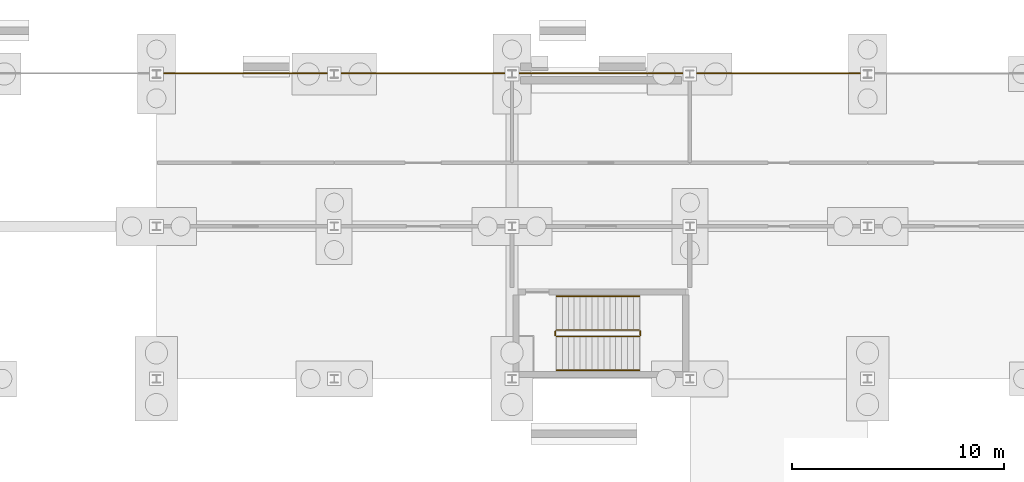
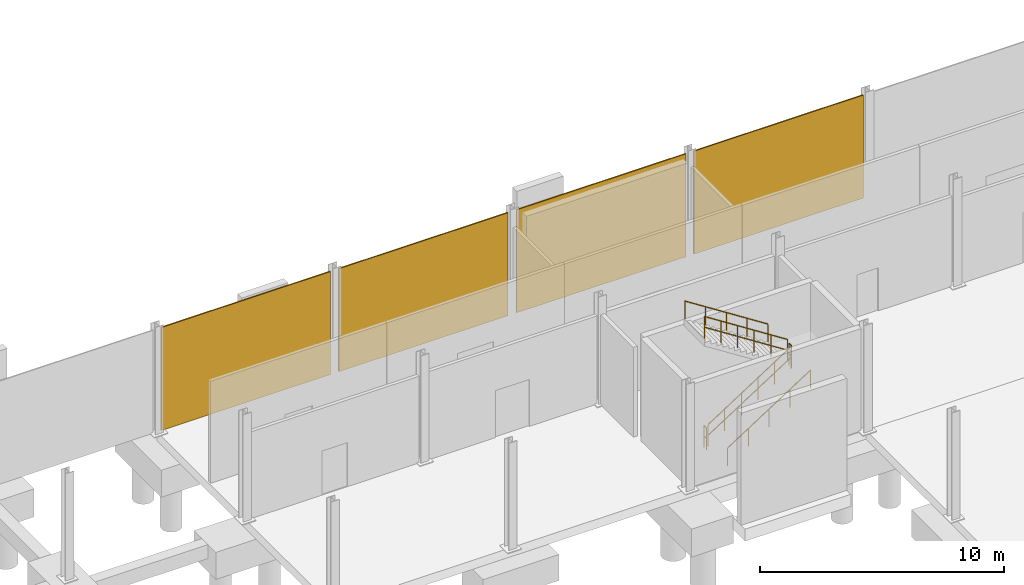
# One storey, part 56 of 61: 6 railings, 4 coverings.
"""IFC4 building model written with IfcOpenShell, lengths in metres."""

import ifcopenshell
import ifcopenshell.guid

model = None  # the IFC model being written
_history = None  # IfcOwnerHistory: only IFC2X3 demands one
_inside = {}  # id of a spatial element -> (the spatial element, [elements in it])
_under = {}  # id of a project, library or spatial element -> (it, [spatial elements below it])
_declared = {}  # id of a project -> (the project, [libraries it declares])
_typed = {}  # id of a type object -> (the type object, [elements of that type])
_made_of = {}  # id of a material, layer set ... -> (it, [elements and type objects made of it])


def new_model(schema):
    """Start an empty IFC model of exactly this schema.

    Asked for "IFC4X3", IfcOpenShell would pick the latest addendum, in which some entities
    have other attributes; the version numbers below select the first issue.
    IFC2X3 requires an IfcOwnerHistory on every rooted entity: one is made here for all.
    """
    global model, _history
    if schema == "IFC4X3":
        model = ifcopenshell.file(schema_version=(4, 3, 0, 0))
    else:
        model = ifcopenshell.file(schema=schema)
    _inside.clear()
    _under.clear()
    _declared.clear()
    _typed.clear()
    _made_of.clear()
    _history = None
    if model.schema == "IFC2X3":
        org = make("IfcOrganization", Name="unknown")
        user = make(
            "IfcPersonAndOrganization",
            ThePerson=make("IfcPerson", FamilyName="unknown"),
            TheOrganization=org,
        )
        app = make(
            "IfcApplication",
            ApplicationDeveloper=org,
            Version="unknown",
            ApplicationFullName="unknown",
            ApplicationIdentifier="unknown",
        )
        _history = make(
            "IfcOwnerHistory",
            OwningUser=user,
            OwningApplication=app,
            ChangeAction="ADDED",
            CreationDate=0,
        )
    return model


def make(cls, **values):
    """One entity of the class cls with the attributes given. An attribute that is None is left unset."""
    return model.create_entity(
        cls, **{name: value for name, value in values.items() if value is not None}
    )


def rooted(cls, **values):
    """An entity with a GlobalId (a new one), such as an element, a storey or a relation."""
    return make(cls, GlobalId=ifcopenshell.guid.new(), OwnerHistory=_history, **values)


def si_unit(unit_type, name, prefix=None):
    """IfcSIUnit, for example si_unit("LENGTHUNIT", "METRE", prefix="MILLI")."""
    return make("IfcSIUnit", UnitType=unit_type, Prefix=prefix, Name=name)


def assignment(units):
    """IfcUnitAssignment: the units of a project."""
    return None if units is None else make("IfcUnitAssignment", Units=units)


def point(xyz):
    """IfcCartesianPoint."""
    return None if xyz is None else make("IfcCartesianPoint", Coordinates=xyz)


def direction(xyz):
    """IfcDirection."""
    return None if xyz is None else make("IfcDirection", DirectionRatios=xyz)


def frame(location, z_axis=None, x_axis=None):
    """IfcAxis2Placement3D, a coordinate frame: its origin and axes. An axis left out is left unset."""
    return make(
        "IfcAxis2Placement3D",
        Location=point(location),
        Axis=direction(z_axis),
        RefDirection=direction(x_axis),
    )


def frame_2d(location, x_axis=None):
    """IfcAxis2Placement2D, a coordinate frame in the plane: its origin and x axis."""
    return make(
        "IfcAxis2Placement2D", Location=point(location), RefDirection=direction(x_axis)
    )


def origin():
    """The frame at (0, 0, 0) with its axes left unset."""
    return frame((0.0, 0.0, 0.0))


def origin_2d():
    """The frame at (0, 0) in the plane with its x axis left unset."""
    return frame_2d((0.0, 0.0))


def place(relative_to, where):
    """IfcLocalPlacement: puts the frame where relative to a parent placement (None: the world)."""
    return make(
        "IfcLocalPlacement", PlacementRelTo=relative_to, RelativePlacement=where
    )


def context(
    kind, dimensions, precision=None, world=None, true_north=None, identifier=None
):
    """IfcGeometricRepresentationContext, for example the 3D "Model" context."""
    return make(
        "IfcGeometricRepresentationContext",
        ContextIdentifier=identifier,
        ContextType=kind,
        CoordinateSpaceDimension=dimensions,
        Precision=precision,
        WorldCoordinateSystem=world,
        TrueNorth=true_north,
    )


def subcontext(parent, identifier, kind, view, scale=None):
    """IfcGeometricRepresentationSubContext, for example "Body" below "Model"."""
    return make(
        "IfcGeometricRepresentationSubContext",
        ContextIdentifier=identifier,
        ContextType=kind,
        ParentContext=parent,
        TargetScale=scale,
        TargetView=view,
    )


def project(units=None, contexts=None):
    """IfcProject with its units and contexts."""
    return rooted(
        "IfcProject",
        Name="project",
        RepresentationContexts=contexts,
        UnitsInContext=assignment(units),
    )


def spatial(cls, under=None, at=None, **own):
    """A site, building, storey or space (cls), placed at a placement, below another one or the project."""
    s = rooted(cls, ObjectPlacement=at, **own)
    if under is not None:
        _under.setdefault(under.id(), (under, []))[1].append(s)
    return s


def polyline(points):
    """IfcPolyline through the points."""
    return make("IfcPolyline", Points=[point(p) for p in points])


def profile(cls, at=None, kind="AREA", **sizes):
    """A parametric profile (cls). Its sizes go by their IFC names, for example OverallWidth=200.0."""
    return make(cls, ProfileType=kind, Position=at, **sizes)


def circle(**sizes):
    """IfcCircleProfileDef."""
    return profile("IfcCircleProfileDef", **sizes)


def outline(outer, holes=None, kind="AREA"):
    """IfcArbitraryClosedProfileDef: a profile drawn as a closed curve; with holes, ...WithVoids."""
    if holes is None:
        return make("IfcArbitraryClosedProfileDef", ProfileType=kind, OuterCurve=outer)
    return make(
        "IfcArbitraryProfileDefWithVoids",
        ProfileType=kind,
        OuterCurve=outer,
        InnerCurves=holes,
    )


def extrude(swept, where, along, depth):
    """IfcExtrudedAreaSolid: the profile swept, set in the frame where, extruded along a direction by depth."""
    return make(
        "IfcExtrudedAreaSolid",
        SweptArea=swept,
        Position=where,
        ExtrudedDirection=direction(along),
        Depth=depth,
    )


def shape(context_of_items, identifier, shape_type, items):
    """IfcShapeRepresentation: the items that make up one representation, for example the "Body"."""
    return make(
        "IfcShapeRepresentation",
        ContextOfItems=context_of_items,
        RepresentationIdentifier=identifier,
        RepresentationType=shape_type,
        Items=items,
    )


def material(Name=None, Category=None):
    """IfcMaterial."""
    return make("IfcMaterial", Name=Name, Category=Category)


def layer(
    of_material, thickness, ventilated=None, Name=None, Category=None, Priority=None
):
    """IfcMaterialLayer: one layer of a wall or slab, of a material (None: an air gap)."""
    return make(
        "IfcMaterialLayer",
        Material=of_material,
        LayerThickness=thickness,
        IsVentilated=ventilated,
        Name=Name,
        Category=Category,
        Priority=Priority,
    )


def layer_set(layers, Name=None):
    """IfcMaterialLayerSet."""
    return make("IfcMaterialLayerSet", MaterialLayers=layers, LayerSetName=Name)


def made_of(thing, what):
    """Note that an element or type object is made of a material, layer set ...; save() writes the relation."""
    if what is not None:
        _made_of.setdefault(what.id(), (what, []))[1].append(thing)
    return thing


def type_object(cls, material=None, **own):
    """A type object (cls), such as IfcWallType, which elements share."""
    return made_of(rooted(cls, **own), material)


def element(
    cls,
    number,
    at=None,
    inside=None,
    cuts=None,
    type_object=None,
    material=None,
    context=None,
    identifier="Body",
    shape_type=None,
    held_by="IfcProductDefinitionShape",
    body=None,
    shapes=None,
    **own,
):
    """One element of the class cls, such as IfcWall. Its Tag is "e" and its number.

    at: its placement. inside: the storey or other place that contains it. cuts: it is an
    opening in that element (IfcRelVoidsElement). A single representation is given by context,
    identifier, shape_type and body (its items); several are given by shapes. held_by: the class
    of the entity that holds the representations. save() writes the other relations.
    """
    e = rooted(cls, Tag="e%d" % number, ObjectPlacement=at, **own)
    if body is not None:
        shapes = [shape(context, identifier, shape_type, body)]
    if shapes is not None:
        e.Representation = make(held_by, Representations=shapes)
    if inside is not None:
        _inside.setdefault(inside.id(), (inside, []))[1].append(e)
    if cuts is not None:
        rooted(
            "IfcRelVoidsElement", RelatingBuildingElement=cuts, RelatedOpeningElement=e
        )
    if type_object is not None:
        _typed.setdefault(type_object.id(), (type_object, []))[1].append(e)
    return made_of(e, material)


def aggregate(whole, parts):
    """IfcRelAggregates: a whole, such as a stair, and the parts it consists of."""
    return rooted("IfcRelAggregates", RelatingObject=whole, RelatedObjects=parts)


def save(model, path):
    """Write the relations noted so far, then the file.

    IfcRelAggregates (storeys below a building ...), IfcRelContainedInSpatialStructure (elements
    in a storey), IfcRelDefinesByType, IfcRelAssociatesMaterial and IfcRelDeclares: one each for
    every whole, place, type object, material and project.
    """
    for whole, parts in _under.values():
        aggregate(whole, parts)
    for where, things in _inside.values():
        rooted(
            "IfcRelContainedInSpatialStructure",
            RelatedElements=things,
            RelatingStructure=where,
        )
    for kind, things in _typed.values():
        rooted("IfcRelDefinesByType", RelatedObjects=things, RelatingType=kind)
    for what, things in _made_of.values():
        rooted("IfcRelAssociatesMaterial", RelatedObjects=things, RelatingMaterial=what)
    for by, libraries in _declared.values():
        rooted("IfcRelDeclares", RelatingContext=by, RelatedDefinitions=libraries)
    model.write(path)


model = new_model("IFC4")

# Units and contexts
model_context = context("Model", 3, precision=1e-05, world=origin(), true_north=direction((0.0, 1.0)))
body_context = subcontext(model_context, "Body", "Model", "MODEL_VIEW")
ifc_project = project(units=[si_unit("LENGTHUNIT", "METRE"), si_unit("AREAUNIT", "SQUARE_METRE"), si_unit("VOLUMEUNIT", "CUBIC_METRE"), si_unit("PLANEANGLEUNIT", "RADIAN"), si_unit("MASSUNIT", "GRAM", prefix="KILO")], contexts=[model_context])

# Site, building, storey
site_placement = place(None, origin())
site = spatial("IfcSite", under=ifc_project, at=site_placement, CompositionType="ELEMENT")
building_placement = place(site_placement, origin())
building = spatial("IfcBuilding", under=site, at=building_placement, Name="Calvrana Isthmian Art Gallery", CompositionType="ELEMENT")
storey_placement = place(building_placement, frame((0.0, 0.0, -5.39990234375)))
storey = spatial("IfcBuildingStorey", under=building, at=storey_placement, Name="B1", CompositionType="ELEMENT", Elevation=-5.39990234375)

# Coverings
ifc_material_1 = material(Name="Pale Isthmian limestone", Category="masonry")
ifc_layer = layer(ifc_material_1, 0.06005859375, Name="Pale Isthmian limestone")
ifc_layer_set = layer_set([ifc_layer], Name="Pale Isthmian limestone")
covering_type = type_object("IfcCoveringType", Name="COV-PLINTH-LIME", PredefinedType="CLADDING", material=ifc_layer_set)
covering_1_placement = place(storey_placement, origin())
element("IfcCovering", 1, at=covering_1_placement, inside=storey, type_object=covering_type, Name="Limestone basement plinth panel X-018", PredefinedType="CLADDING", context=body_context, shape_type="SweptSolid", body=[
    extrude(outline(polyline([(30.197509765625, 112.800048828125), (38.2041015625, 112.800048828125), (38.2041015625, 112.860107421875), (30.197509765625, 112.860107421875), (30.197509765625, 112.800048828125)])), origin(), (0.0, 0.0, 1.0), 5.14990234375),
])
covering_2_placement = place(storey_placement, origin())
element("IfcCovering", 2, at=covering_2_placement, inside=storey, type_object=covering_type, Name="Limestone basement plinth panel X-019", PredefinedType="CLADDING", context=body_context, shape_type="SweptSolid", body=[
    extrude(outline(polyline([(38.595947265625, 112.800048828125), (46.60498046875, 112.800048828125), (46.60498046875, 112.860107421875), (38.595947265625, 112.860107421875), (38.595947265625, 112.800048828125)])), origin(), (0.0, 0.0, 1.0), 5.14990234375),
])
covering_3_placement = place(storey_placement, origin())
element("IfcCovering", 3, at=covering_3_placement, inside=storey, type_object=covering_type, Name="Limestone basement plinth panel X-020", PredefinedType="CLADDING", context=body_context, shape_type="SweptSolid", body=[
    extrude(outline(polyline([(46.9951171875, 112.800048828125), (55.015380859375, 112.800048828125), (55.015380859375, 112.860107421875), (46.9951171875, 112.860107421875), (46.9951171875, 112.800048828125)])), origin(), (0.0, 0.0, 1.0), 5.14990234375),
])
covering_4_placement = place(storey_placement, origin())
element("IfcCovering", 4, at=covering_4_placement, inside=storey, type_object=covering_type, Name="Limestone basement plinth panel X-021", PredefinedType="CLADDING", context=body_context, shape_type="SweptSolid", body=[
    extrude(outline(polyline([(55.384521484375, 112.800048828125), (63.402587890625, 112.800048828125), (63.402587890625, 112.860107421875), (55.384521484375, 112.860107421875), (55.384521484375, 112.800048828125)])), origin(), (0.0, 0.0, 1.0), 5.14990234375),
])

# Railings
ifc_material_2 = material(Name="Stainless steel 316", Category="steel")
railing_type_1 = type_object("IfcRailingType", Name="RL-GUARD-1120", PredefinedType="BALUSTRADE", material=ifc_material_2)
railing_1_placement = place(storey_placement, frame((48.89990234375, 100.39990234375, 0.179931640625)))
element("IfcRailing", 5, at=railing_1_placement, inside=storey, type_object=railing_type_1, Name="Stair ST-6 guard B1-1", PredefinedType="BALUSTRADE", context=body_context, shape_type="SweptSolid", body=[
    extrude(circle(Radius=0.02392578125, at=origin_2d()), frame((0.0, 0.0, 1.09619140625), z_axis=(0.841186985886, 0.0, 0.540744352514), x_axis=(0.0, 1.0, 0.0)), (0.0, 0.0, 1.0), 4.660400390625),
    extrude(circle(Radius=0.02392578125, at=origin_2d()), frame((0.0, 0.0, 0.56005859375), z_axis=(0.841186985886, 0.0, 0.540744352514), x_axis=(0.0, 1.0, 0.0)), (0.0, 0.0, 1.0), 4.660400390625),
    extrude(circle(Radius=0.02099609375, at=origin_2d()), origin(), (0.0, 0.0, 1.0), 1.072021484375),
    extrude(circle(Radius=0.02099609375, at=origin_2d()), frame((0.783935546875, 0.0, 0.50390625)), (0.0, 0.0, 1.0), 1.072021484375),
    extrude(circle(Radius=0.02099609375, at=origin_2d()), frame((1.568115234375, 0.0, 1.008056640625)), (0.0, 0.0, 1.0), 1.072021484375),
    extrude(circle(Radius=0.02099609375, at=origin_2d()), frame((2.35205078125, 0.0, 1.511962890625)), (0.0, 0.0, 1.0), 1.072021484375),
    extrude(circle(Radius=0.02099609375, at=origin_2d()), frame((3.13623046875, 0.0, 2.01611328125)), (0.0, 0.0, 1.0), 1.072021484375),
    extrude(circle(Radius=0.02099609375, at=origin_2d()), frame((3.920166015625, 0.0, 2.52001953125)), (0.0, 0.0, 1.0), 1.072021484375),
])
railing_2_placement = place(storey_placement, frame((52.8701171875, 100.449951171875, 2.699951171875)))
element("IfcRailing", 6, at=railing_2_placement, inside=storey, type_object=railing_type_1, Name="Stair ST-6 guard B1-2", PredefinedType="BALUSTRADE", context=body_context, shape_type="SweptSolid", body=[
    extrude(circle(Radius=0.02392578125, at=origin_2d()), frame((0.0, 0.0, 1.09619140625), z_axis=(0.0, 1.0, 0.0), x_axis=(-1.0, 0.0, 0.0)), (0.0, 0.0, 1.0), 0.199951171875),
    extrude(circle(Radius=0.02392578125, at=origin_2d()), frame((0.0, 0.0, 0.56005859375), z_axis=(0.0, 1.0, 0.0), x_axis=(-1.0, 0.0, 0.0)), (0.0, 0.0, 1.0), 0.199951171875),
    extrude(circle(Radius=0.02099609375, at=origin_2d()), origin(), (0.0, 0.0, 1.0), 1.072021484375),
    extrude(circle(Radius=0.02099609375, at=origin_2d()), frame((0.0, 0.199951171875, 0.0)), (0.0, 0.0, 1.0), 1.072021484375),
])
railing_3_placement = place(storey_placement, frame((52.820068359375, 100.699951171875, 2.8798828125)))
element("IfcRailing", 7, at=railing_3_placement, inside=storey, type_object=railing_type_1, Name="Stair ST-6 guard B1-3", PredefinedType="BALUSTRADE", context=body_context, shape_type="SweptSolid", body=[
    extrude(circle(Radius=0.02392578125, at=origin_2d()), frame((0.0, 0.0, 1.09619140625), z_axis=(-0.841186985886, 0.0, 0.540744352514), x_axis=(0.0, -1.0, 0.0)), (0.0, 0.0, 1.0), 4.660400390625),
    extrude(circle(Radius=0.02392578125, at=origin_2d()), frame((0.0, 0.0, 0.56005859375), z_axis=(-0.841186985886, 0.0, 0.540744352514), x_axis=(0.0, -1.0, 0.0)), (0.0, 0.0, 1.0), 4.660400390625),
    extrude(circle(Radius=0.02099609375, at=origin_2d()), origin(), (0.0, 0.0, 1.0), 1.072021484375),
    extrude(circle(Radius=0.02099609375, at=origin_2d()), frame((-0.783935546875, 0.0, 0.50390625)), (0.0, 0.0, 1.0), 1.072021484375),
    extrude(circle(Radius=0.02099609375, at=origin_2d()), frame((-1.568115234375, 0.0, 1.008056640625)), (0.0, 0.0, 1.0), 1.072021484375),
    extrude(circle(Radius=0.02099609375, at=origin_2d()), frame((-2.35205078125, 0.0, 1.511962890625)), (0.0, 0.0, 1.0), 1.072021484375),
    extrude(circle(Radius=0.02099609375, at=origin_2d()), frame((-3.13623046875, 0.0, 2.01611328125)), (0.0, 0.0, 1.0), 1.072021484375),
    extrude(circle(Radius=0.02099609375, at=origin_2d()), frame((-3.920166015625, 0.0, 2.52001953125)), (0.0, 0.0, 1.0), 1.072021484375),
])
railing_4_placement = place(storey_placement, frame((48.85009765625, 100.449951171875, 0.0)))
element("IfcRailing", 8, at=railing_4_placement, inside=storey, type_object=railing_type_1, Name="Stair ST-6 guard B1-4", PredefinedType="BALUSTRADE", context=body_context, shape_type="SweptSolid", body=[
    extrude(circle(Radius=0.02392578125, at=origin_2d()), frame((0.0, 0.0, 1.09619140625), z_axis=(0.0, 1.0, 0.0), x_axis=(-1.0, 0.0, 0.0)), (0.0, 0.0, 1.0), 0.199951171875),
    extrude(circle(Radius=0.02392578125, at=origin_2d()), frame((0.0, 0.0, 0.56005859375), z_axis=(0.0, 1.0, 0.0), x_axis=(-1.0, 0.0, 0.0)), (0.0, 0.0, 1.0), 0.199951171875),
    extrude(circle(Radius=0.02099609375, at=origin_2d()), origin(), (0.0, 0.0, 1.0), 1.072021484375),
    extrude(circle(Radius=0.02099609375, at=origin_2d()), frame((0.0, 0.199951171875, 0.0)), (0.0, 0.0, 1.0), 1.072021484375),
])
railing_type_2 = type_object("IfcRailingType", Name="RL-HAND-920", PredefinedType="HANDRAIL", material=ifc_material_2)
railing_5_placement = place(storey_placement, frame((48.89990234375, 98.800048828125, 0.179931640625)))
element("IfcRailing", 9, at=railing_5_placement, inside=storey, type_object=railing_type_2, Name="Stair ST-6 handrail B1-1", PredefinedType="HANDRAIL", context=body_context, shape_type="SweptSolid", body=[
    extrude(circle(Radius=0.02392578125, at=origin_2d()), frame((0.0, 0.0, 0.89599609375), z_axis=(0.841186985886, 0.0, 0.540744352514), x_axis=(0.0, 1.0, 0.0)), (0.0, 0.0, 1.0), 4.660400390625),
    extrude(circle(Radius=0.02099609375, at=origin_2d()), origin(), (0.0, 0.0, 1.0), 0.871826171875),
    extrude(circle(Radius=0.02099609375, at=origin_2d()), frame((0.97998046875, 0.0, 0.6298828125)), (0.0, 0.0, 1.0), 0.871826171875),
    extrude(circle(Radius=0.02099609375, at=origin_2d()), frame((1.9599609375, 0.0, 1.260009765625)), (0.0, 0.0, 1.0), 0.871826171875),
    extrude(circle(Radius=0.02099609375, at=origin_2d()), frame((2.940185546875, 0.0, 1.89013671875)), (0.0, 0.0, 1.0), 0.871826171875),
    extrude(circle(Radius=0.02099609375, at=origin_2d()), frame((3.920166015625, 0.0, 2.52001953125)), (0.0, 0.0, 1.0), 0.871826171875),
])
railing_6_placement = place(storey_placement, frame((52.820068359375, 102.300048828125, 2.8798828125)))
element("IfcRailing", 10, at=railing_6_placement, inside=storey, type_object=railing_type_2, Name="Stair ST-6 handrail B1-2", PredefinedType="HANDRAIL", context=body_context, shape_type="SweptSolid", body=[
    extrude(circle(Radius=0.02392578125, at=origin_2d()), frame((0.0, 0.0, 0.89599609375), z_axis=(-0.841186985886, 0.0, 0.540744352514), x_axis=(0.0, -1.0, 0.0)), (0.0, 0.0, 1.0), 4.660400390625),
    extrude(circle(Radius=0.02099609375, at=origin_2d()), origin(), (0.0, 0.0, 1.0), 0.871826171875),
    extrude(circle(Radius=0.02099609375, at=origin_2d()), frame((-0.97998046875, 0.0, 0.6298828125)), (0.0, 0.0, 1.0), 0.871826171875),
    extrude(circle(Radius=0.02099609375, at=origin_2d()), frame((-1.9599609375, 0.0, 1.260009765625)), (0.0, 0.0, 1.0), 0.871826171875),
    extrude(circle(Radius=0.02099609375, at=origin_2d()), frame((-2.940185546875, 0.0, 1.89013671875)), (0.0, 0.0, 1.0), 0.871826171875),
    extrude(circle(Radius=0.02099609375, at=origin_2d()), frame((-3.920166015625, 0.0, 2.52001953125)), (0.0, 0.0, 1.0), 0.871826171875),
])

save(model, "model.ifc")
